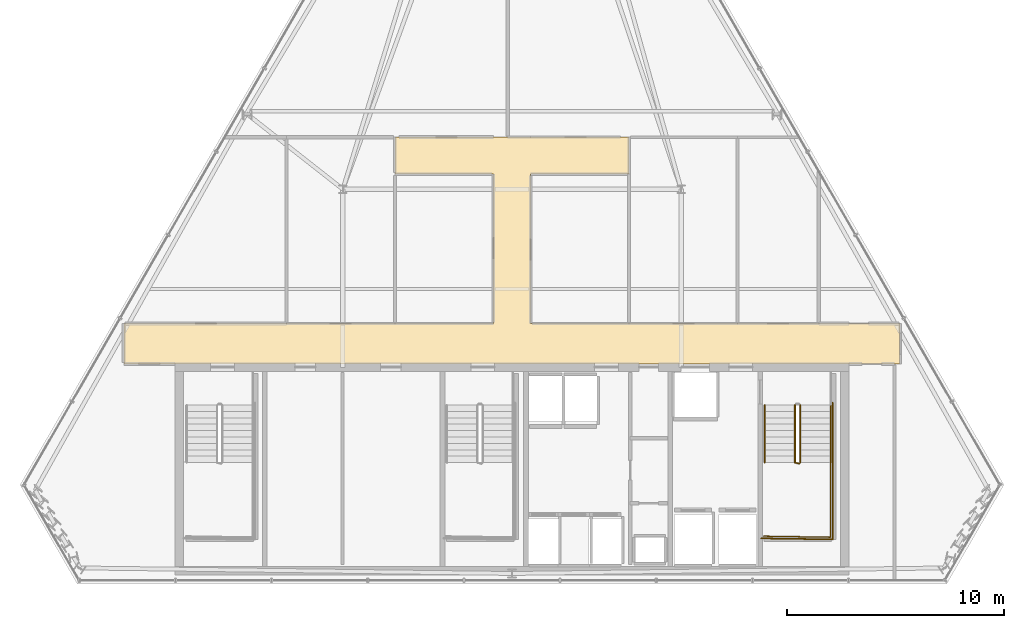
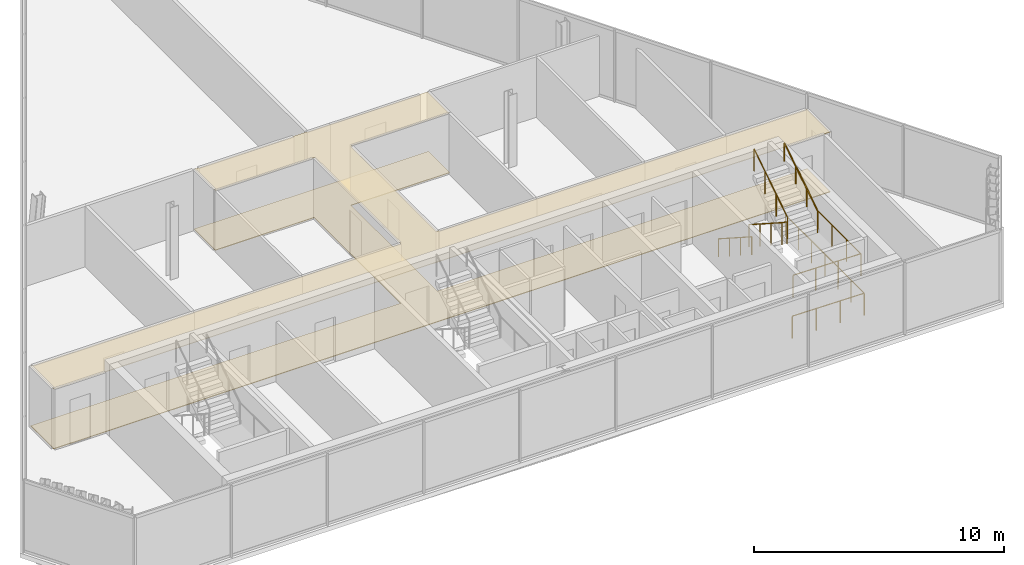
# One storey, part 34 of 35: 6 railings, 2 coverings.
"""IFC4 building model written with IfcOpenShell, lengths in metres."""

from ifc_helpers import new_model, si_unit, direction, frame, origin, origin_2d, place, context, subcontext, project, spatial, polyline, circle, outline, extrude, material, layer, layer_set, type_object, element, save


model = new_model("IFC4")

# Units and contexts
model_context = context("Model", 3, precision=1e-05, world=origin(), true_north=direction((0.0, 1.0)))
body_context = subcontext(model_context, "Body", "Model", "MODEL_VIEW")
ifc_project = project(units=[si_unit("LENGTHUNIT", "METRE"), si_unit("AREAUNIT", "SQUARE_METRE"), si_unit("VOLUMEUNIT", "CUBIC_METRE"), si_unit("PLANEANGLEUNIT", "RADIAN"), si_unit("MASSUNIT", "GRAM", prefix="KILO")], contexts=[model_context])

# Site, building, storey
site_placement = place(None, origin())
site = spatial("IfcSite", under=ifc_project, at=site_placement, CompositionType="ELEMENT")
building_placement = place(site_placement, origin())
building = spatial("IfcBuilding", under=site, at=building_placement, Name="Ndaravel Arena Tower", CompositionType="ELEMENT")
storey_placement = place(building_placement, frame((0.0, 0.0, 275.0)))
storey = spatial("IfcBuildingStorey", under=building, at=storey_placement, Name="L67", CompositionType="ELEMENT", Elevation=275.0)

# Coverings
ifc_material_1 = material(Name="Acoustic Ceiling Tile", Category="finish")
ifc_layer_1 = layer(ifc_material_1, 0.02490234375)
ifc_layer_set_1 = layer_set([ifc_layer_1], Name="Acoustic Ceiling Tile")
covering_type_1 = type_object("IfcCoveringType", Name="COV-CEIL-AC600", PredefinedType="CEILING", material=ifc_layer_set_1)
covering_1_placement = place(storey_placement, frame((0.0, 0.0, 2.92041015625)))
element("IfcCovering", 1, at=covering_1_placement, inside=storey, type_object=covering_type_1, Name="L67 Corridor Acoustic Ceiling", PredefinedType="CEILING", context=body_context, shape_type="SweptSolid", body=[
    extrude(outline(polyline([(59.903076171875, 17.0), (42.85009765625, 17.0), (42.85009765625, 23.89990234375), (47.39990234375, 23.89990234375), (47.39990234375, 25.60009765625), (42.85009765625, 25.60009765625), (41.14990234375, 25.60009765625), (36.60009765625, 25.60009765625), (36.60009765625, 23.89990234375), (41.14990234375, 23.89990234375), (41.14990234375, 17.0), (24.096923828125, 17.0), (24.096923828125, 15.14990234375), (59.903076171875, 15.14990234375), (59.903076171875, 17.0)])), origin(), (0.0, 0.0, 1.0), 0.025146484375),
])
ifc_material_2 = material(Name="Terrazzo", Category="stone")
ifc_layer_2 = layer(ifc_material_2, 0.030029296875)
ifc_layer_set_2 = layer_set([ifc_layer_2], Name="Terrazzo")
covering_type_2 = type_object("IfcCoveringType", Name="COV-FLOOR-TERRAZZO", PredefinedType="FLOORING", material=ifc_layer_set_2)
covering_2_placement = place(storey_placement, origin())
element("IfcCovering", 2, at=covering_2_placement, inside=storey, type_object=covering_type_2, Name="L67 Corridor Terrazzo Flooring", PredefinedType="FLOORING", context=body_context, shape_type="SweptSolid", body=[
    extrude(outline(polyline([(59.903076171875, 17.0), (42.85009765625, 17.0), (42.85009765625, 23.89990234375), (47.39990234375, 23.89990234375), (47.39990234375, 25.60009765625), (42.85009765625, 25.60009765625), (41.14990234375, 25.60009765625), (36.60009765625, 25.60009765625), (36.60009765625, 23.89990234375), (41.14990234375, 23.89990234375), (41.14990234375, 17.0), (24.096923828125, 17.0), (24.096923828125, 15.14990234375), (59.903076171875, 15.14990234375), (59.903076171875, 17.0)])), origin(), (0.0, 0.0, 1.0), 0.030029296875),
])

# Railings
ifc_material_3 = material(Name="Steel S355", Category="steel")
ifc_layer_3 = layer(ifc_material_3, 0.06005859375)
ifc_layer_set_3 = layer_set([ifc_layer_3], Name="Steel S355")
railing_type_1 = type_object("IfcRailingType", Name="RAIL-STAIR-GD1100", PredefinedType="GUARDRAIL", material=ifc_layer_set_3)
railing_1_placement = place(storey_placement, frame((55.050048828125, 13.25, 0.18994140625)))
element("IfcRailing", 3, at=railing_1_placement, inside=storey, type_object=railing_type_1, Name="L67 ST-3 stair guard 1", PredefinedType="GUARDRAIL", context=body_context, shape_type="SweptSolid", body=[
    extrude(circle(Radius=0.02392578125, at=origin_2d()), frame((0.0, 0.0, 1.076171875), z_axis=(0.0, -0.840723540582, 0.54146461409), x_axis=(1.0, 0.0, 0.0)), (0.0, 0.0, 1.0), 3.157958984375),
    extrude(circle(Radius=0.02392578125, at=origin_2d()), frame((0.0, -2.655029296875, 2.7861328125), z_axis=(0.966993988697, -0.254799187253, 0.0), x_axis=(0.254799187253, 0.966993988697, 0.0)), (0.0, 0.0, 1.0), 0.196533203125),
    extrude(circle(Radius=0.02099609375, at=origin_2d()), origin(), (0.0, 0.0, 1.0), 1.052001953125),
    extrude(circle(Radius=0.02099609375, at=origin_2d()), frame((0.0, -0.885009765625, 0.570068359375)), (0.0, 0.0, 1.0), 1.052001953125),
    extrude(circle(Radius=0.02099609375, at=origin_2d()), frame((0.0, -1.77001953125, 1.139892578125)), (0.0, 0.0, 1.0), 1.052001953125),
    extrude(circle(Radius=0.02099609375, at=origin_2d()), frame((0.0, -2.655029296875, 1.7099609375)), (0.0, 0.0, 1.0), 1.052001953125),
    extrude(circle(Radius=0.02099609375, at=origin_2d()), frame((0.18994140625, -2.705078125, 1.7099609375)), (0.0, 0.0, 1.0), 1.052001953125),
])
railing_2_placement = place(storey_placement, frame((56.68994140625, 10.594970703125, 1.89990234375)))
element("IfcRailing", 4, at=railing_2_placement, inside=storey, type_object=railing_type_1, Name="L67 ST-3 stair guard 2", PredefinedType="GUARDRAIL", context=body_context, shape_type="SweptSolid", body=[
    extrude(circle(Radius=0.02392578125, at=origin_2d()), frame((0.0, 0.0, 1.076171875), z_axis=(0.0, -1.0, 0.0), x_axis=(1.0, 0.0, 0.0)), (0.0, 0.0, 1.0), 3.445068359375),
    extrude(circle(Radius=0.02392578125, at=origin_2d()), frame((0.0, -3.445068359375, 1.076171875), z_axis=(-0.999868840623, 0.016195726322, 0.0), x_axis=(-0.016195726322, -0.999868840623, 0.0)), (0.0, 0.0, 1.0), 3.09033203125),
    extrude(circle(Radius=0.02099609375, at=origin_2d()), origin(), (0.0, 0.0, 1.0), 1.052001953125),
    extrude(circle(Radius=0.02099609375, at=origin_2d()), frame((0.0, -1.1484375, 0.0)), (0.0, 0.0, 1.0), 1.052001953125),
    extrude(circle(Radius=0.02099609375, at=origin_2d()), frame((0.0, -2.296630859375, 0.0)), (0.0, 0.0, 1.0), 1.052001953125),
    extrude(circle(Radius=0.02099609375, at=origin_2d()), frame((0.0, -3.445068359375, 0.0)), (0.0, 0.0, 1.0), 1.052001953125),
    extrude(circle(Radius=0.02099609375, at=origin_2d()), frame((-1.030029296875, -3.428466796875, 0.0)), (0.0, 0.0, 1.0), 1.052001953125),
    extrude(circle(Radius=0.02099609375, at=origin_2d()), frame((-2.059814453125, -3.41162109375, 0.0)), (0.0, 0.0, 1.0), 1.052001953125),
    extrude(circle(Radius=0.02099609375, at=origin_2d()), frame((-3.08984375, -3.39501953125, 0.0)), (0.0, 0.0, 1.0), 1.052001953125),
])
railing_3_placement = place(storey_placement, frame((55.2900390625, 10.594970703125, 2.090087890625)))
element("IfcRailing", 5, at=railing_3_placement, inside=storey, type_object=railing_type_1, Name="L67 ST-3 stair guard 3", PredefinedType="GUARDRAIL", context=body_context, shape_type="SweptSolid", body=[
    extrude(circle(Radius=0.02392578125, at=origin_2d()), frame((0.0, 0.0, 1.076171875), z_axis=(0.0, 0.840723540582, 0.54146461409), x_axis=(-1.0, 0.0, 0.0)), (0.0, 0.0, 1.0), 3.157958984375),
    extrude(circle(Radius=0.02099609375, at=origin_2d()), origin(), (0.0, 0.0, 1.0), 1.052001953125),
    extrude(circle(Radius=0.02099609375, at=origin_2d()), frame((0.0, 0.885009765625, 0.570068359375)), (0.0, 0.0, 1.0), 1.052001953125),
    extrude(circle(Radius=0.02099609375, at=origin_2d()), frame((0.0, 1.77001953125, 1.139892578125)), (0.0, 0.0, 1.0), 1.052001953125),
    extrude(circle(Radius=0.02099609375, at=origin_2d()), frame((0.0, 2.655029296875, 1.7099609375)), (0.0, 0.0, 1.0), 1.052001953125),
])
railing_4_placement = place(storey_placement, frame((56.7900390625, 13.35009765625, 0.0)))
element("IfcRailing", 6, at=railing_4_placement, inside=storey, type_object=railing_type_1, Name="L67 ST-3 stair guard 6", PredefinedType="GUARDRAIL", context=body_context, shape_type="SweptSolid", body=[
    extrude(circle(Radius=0.02392578125, at=origin_2d()), frame((0.0, 0.0, 1.076171875), z_axis=(0.0, -1.0, 0.0), x_axis=(1.0, 0.0, 0.0)), (0.0, 0.0, 1.0), 6.300048828125),
    extrude(circle(Radius=0.02392578125, at=origin_2d()), frame((0.0, -6.300048828125, 1.076171875), z_axis=(-0.99988431412, 0.015210469308, 0.0), x_axis=(-0.015210469308, -0.99988431412, 0.0)), (0.0, 0.0, 1.0), 3.29052734375),
    extrude(circle(Radius=0.02099609375, at=origin_2d()), origin(), (0.0, 0.0, 1.0), 1.052001953125),
    extrude(circle(Radius=0.02099609375, at=origin_2d()), frame((0.0, -1.050048828125, 0.0)), (0.0, 0.0, 1.0), 1.052001953125),
    extrude(circle(Radius=0.02099609375, at=origin_2d()), frame((0.0, -2.10009765625, 0.0)), (0.0, 0.0, 1.0), 1.052001953125),
    extrude(circle(Radius=0.02099609375, at=origin_2d()), frame((0.0, -3.14990234375, 0.0)), (0.0, 0.0, 1.0), 1.052001953125),
    extrude(circle(Radius=0.02099609375, at=origin_2d()), frame((0.0, -4.199951171875, 0.0)), (0.0, 0.0, 1.0), 1.052001953125),
    extrude(circle(Radius=0.02099609375, at=origin_2d()), frame((0.0, -5.25, 0.0)), (0.0, 0.0, 1.0), 1.052001953125),
    extrude(circle(Radius=0.02099609375, at=origin_2d()), frame((0.0, -6.300048828125, 0.0)), (0.0, 0.0, 1.0), 1.052001953125),
    extrude(circle(Radius=0.02099609375, at=origin_2d()), frame((-1.0966796875, -6.283447265625, 0.0)), (0.0, 0.0, 1.0), 1.052001953125),
    extrude(circle(Radius=0.02099609375, at=origin_2d()), frame((-2.193359375, -6.2666015625, 0.0)), (0.0, 0.0, 1.0), 1.052001953125),
    extrude(circle(Radius=0.02099609375, at=origin_2d()), frame((-3.2900390625, -6.25, 0.0)), (0.0, 0.0, 1.0), 1.052001953125),
])
ifc_material_4 = material(Name="Steel S355", Category="steel")
ifc_layer_4 = layer(ifc_material_4, 0.050048828125)
ifc_layer_set_4 = layer_set([ifc_layer_4], Name="Steel S355")
railing_type_2 = type_object("IfcRailingType", Name="RAIL-STAIR-HR920", PredefinedType="HANDRAIL", material=ifc_layer_set_4)
railing_5_placement = place(storey_placement, frame((53.64990234375, 13.25, 0.18994140625)))
element("IfcRailing", 7, at=railing_5_placement, inside=storey, type_object=railing_type_2, Name="L67 ST-3 stair handrail 1", PredefinedType="HANDRAIL", context=body_context, shape_type="SweptSolid", body=[
    extrude(circle(Radius=0.02392578125, at=origin_2d()), frame((0.0, 0.0, 0.8759765625), z_axis=(0.0, -0.840723540582, 0.54146461409), x_axis=(1.0, 0.0, 0.0)), (0.0, 0.0, 1.0), 3.157958984375),
    extrude(circle(Radius=0.02099609375, at=origin_2d()), origin(), (0.0, 0.0, 1.0), 0.851806640625),
    extrude(circle(Radius=0.02099609375, at=origin_2d()), frame((0.0, -0.885009765625, 0.570068359375)), (0.0, 0.0, 1.0), 0.851806640625),
    extrude(circle(Radius=0.02099609375, at=origin_2d()), frame((0.0, -1.77001953125, 1.139892578125)), (0.0, 0.0, 1.0), 0.851806640625),
    extrude(circle(Radius=0.02099609375, at=origin_2d()), frame((0.0, -2.655029296875, 1.7099609375)), (0.0, 0.0, 1.0), 0.851806640625),
])
railing_6_placement = place(storey_placement, frame((56.68994140625, 10.594970703125, 2.090087890625)))
element("IfcRailing", 8, at=railing_6_placement, inside=storey, type_object=railing_type_2, Name="L67 ST-3 stair handrail 2", PredefinedType="HANDRAIL", context=body_context, shape_type="SweptSolid", body=[
    extrude(circle(Radius=0.02392578125, at=origin_2d()), frame((0.0, 0.0, 0.8759765625), z_axis=(0.0, 0.840723540582, 0.54146461409), x_axis=(-1.0, 0.0, 0.0)), (0.0, 0.0, 1.0), 3.157958984375),
    extrude(circle(Radius=0.02099609375, at=origin_2d()), origin(), (0.0, 0.0, 1.0), 0.851806640625),
    extrude(circle(Radius=0.02099609375, at=origin_2d()), frame((0.0, 0.885009765625, 0.570068359375)), (0.0, 0.0, 1.0), 0.851806640625),
    extrude(circle(Radius=0.02099609375, at=origin_2d()), frame((0.0, 1.77001953125, 1.139892578125)), (0.0, 0.0, 1.0), 0.851806640625),
    extrude(circle(Radius=0.02099609375, at=origin_2d()), frame((0.0, 2.655029296875, 1.7099609375)), (0.0, 0.0, 1.0), 0.851806640625),
])

save(model, "model.ifc")
